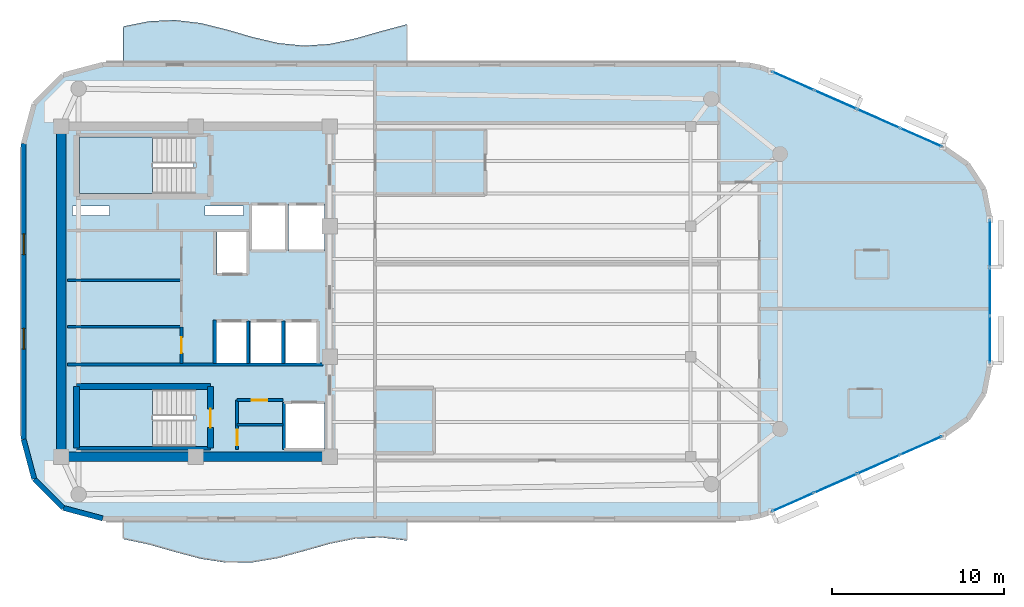
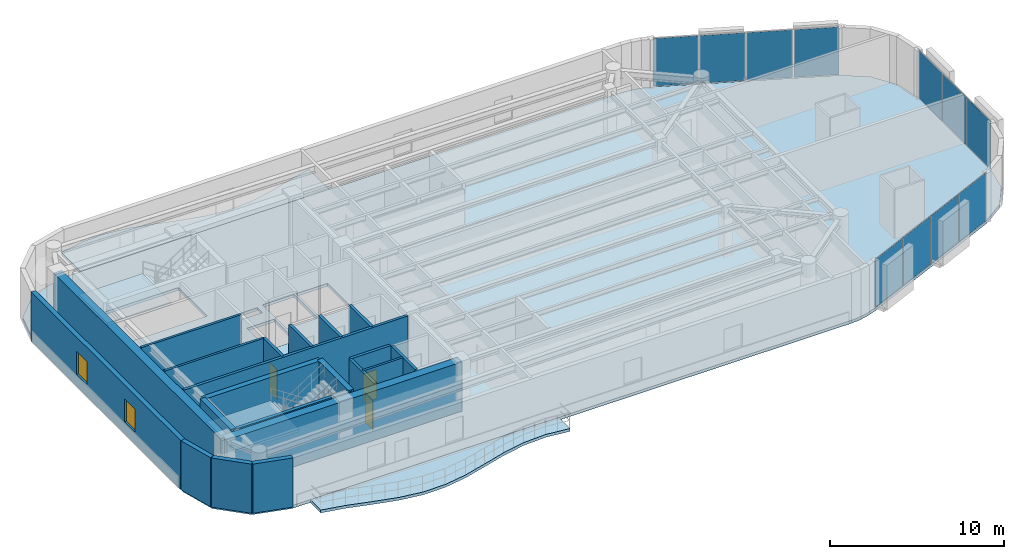
# One storey, part 7 of 12: 21 walls, 11 plates, 5 slabs, 4 doors, 2 windows, 6 openings, 5 elements without a shape of their own.
"""IFC4 building model written with IfcOpenShell, lengths in metres."""

from ifc_helpers import new_model, si_unit, direction, frame, frame_2d, origin, origin_2d, place, context, subcontext, project, spatial, polyline, rectangle, outline, extrude, material, layer, layer_set, type_object, element, fill, aggregate, save


model = new_model("IFC4")

# Units and contexts
model_context = context("Model", 3, precision=1e-05, world=origin(), true_north=direction((0.0, 1.0)))
body_context = subcontext(model_context, "Body", "Model", "MODEL_VIEW")
ifc_project = project(units=[si_unit("LENGTHUNIT", "METRE"), si_unit("AREAUNIT", "SQUARE_METRE"), si_unit("VOLUMEUNIT", "CUBIC_METRE"), si_unit("PLANEANGLEUNIT", "RADIAN"), si_unit("MASSUNIT", "GRAM", prefix="KILO")], contexts=[model_context])

# Site, building, storey
site_placement = place(None, origin())
site = spatial("IfcSite", under=ifc_project, at=site_placement, CompositionType="ELEMENT")
building_placement = place(site_placement, origin())
building = spatial("IfcBuilding", under=site, at=building_placement, Name="An Khanh Terracotta Commons", CompositionType="ELEMENT")
storey_placement = place(building_placement, frame((0.0, 0.0, 262.449951171875)))
storey = spatial("IfcBuildingStorey", under=building, at=storey_placement, Name="L68", CompositionType="ELEMENT", Elevation=262.449951171875)

# Curtain wall, plates
ifc_material_1 = material(Name="Anodised Aluminium 6063-T6", Category="aluminium")
ifc_layer_1 = layer(ifc_material_1, 0.2099609375, Name="Anodised Aluminium 6063-T6")
ifc_layer_set_1 = layer_set([ifc_layer_1], Name="Anodised Aluminium 6063-T6")
curtain_wall_type = type_object("IfcCurtainWallType", Name="CW-SYS-03", PredefinedType="USERDEFINED", material=ifc_layer_set_1)
curtain_wall_1_placement = place(storey_placement, origin())
curtain_wall_1 = element("IfcCurtainWall", 1, at=curtain_wall_1_placement, inside=storey, type_object=curtain_wall_type, Name="L68 CW-03 Unitised Curtain Wall CW-L68-08", ObjectType="UNITISED CURTAIN WALL", PredefinedType="USERDEFINED")
ifc_material_2 = material(Name="Acoustic Laminated Low-E Glazing", Category="glass")
ifc_layer_2 = layer(ifc_material_2, 0.035888671875, Name="Acoustic Laminated Low-E Glazing")
ifc_layer_set_2 = layer_set([ifc_layer_2], Name="Acoustic Laminated Low-E Glazing")
plate_type = type_object("IfcPlateType", Name="CWP-IGU-36", PredefinedType="CURTAIN_PANEL", material=ifc_layer_set_2)
plate_1_placement = place(storey_placement, frame((64.149169921875, 11.748046875, 0.050048828125), z_axis=(0.0, 0.0, 1.0), x_axis=(0.914901853201, 0.403676354285, 0.0)))
plate_1 = element("IfcPlate", 2, at=plate_1_placement, type_object=plate_type, Name="CW-03 panel 1.1", PredefinedType="CURTAIN_PANEL", context=body_context, shape_type="SweptSolid", body=[
    extrude(rectangle(XDim=2.619384765625, YDim=0.035888671875, at=origin_2d()), origin(), (0.0, 0.0, 1.0), 3.35009765625),
])
plate_2_placement = place(storey_placement, frame((66.625732421875, 12.840576171875, 0.050048828125), z_axis=(0.0, 0.0, 1.0), x_axis=(0.914901853201, 0.403676354285, 0.0)))
plate_2 = element("IfcPlate", 3, at=plate_2_placement, type_object=plate_type, Name="CW-03 panel 2.1", PredefinedType="CURTAIN_PANEL", context=body_context, shape_type="SweptSolid", body=[
    extrude(rectangle(XDim=2.654296875, YDim=0.035888671875, at=origin_2d()), origin(), (0.0, 0.0, 1.0), 3.35009765625),
])
plate_3_placement = place(storey_placement, frame((69.1181640625, 13.9404296875, 0.050048828125), z_axis=(0.0, 0.0, 1.0), x_axis=(0.914901853201, 0.403676354285, 0.0)))
plate_3 = element("IfcPlate", 4, at=plate_3_placement, type_object=plate_type, Name="CW-03 panel 3.1", PredefinedType="CURTAIN_PANEL", context=body_context, shape_type="SweptSolid", body=[
    extrude(rectangle(XDim=2.654296875, YDim=0.035888671875, at=origin_2d()), origin(), (0.0, 0.0, 1.0), 3.35009765625),
])
plate_4_placement = place(storey_placement, frame((71.5947265625, 15.032958984375, 0.050048828125), z_axis=(0.0, 0.0, 1.0), x_axis=(0.914901853201, 0.403676354285, 0.0)))
plate_4 = element("IfcPlate", 5, at=plate_4_placement, type_object=plate_type, Name="CW-03 panel 4.1", PredefinedType="CURTAIN_PANEL", context=body_context, shape_type="SweptSolid", body=[
    extrude(rectangle(XDim=2.619384765625, YDim=0.035888671875, at=origin_2d()), origin(), (0.0, 0.0, 1.0), 3.35009765625),
])
aggregate(curtain_wall_1, [plate_1, plate_2, plate_3, plate_4])

curtain_wall_2_placement = place(storey_placement, origin())
curtain_wall_2 = element("IfcCurtainWall", 6, at=curtain_wall_2_placement, inside=storey, type_object=curtain_wall_type, Name="L68 CW-03 Unitised Curtain Wall CW-L68-12", ObjectType="UNITISED CURTAIN WALL", PredefinedType="USERDEFINED")
plate_5_placement = place(storey_placement, frame((75.60009765625, 21.216064453125, 0.050048828125), z_axis=(0.0, 0.0, 1.0), x_axis=(0.0, 1.0, 0.0)))
plate_5 = element("IfcPlate", 7, at=plate_5_placement, type_object=plate_type, Name="CW-03 panel 1.1", PredefinedType="CURTAIN_PANEL", context=body_context, shape_type="SweptSolid", body=[
    extrude(rectangle(XDim=2.6962890625, YDim=0.035888671875, at=origin_2d()), origin(), (0.0, 0.0, 1.0), 3.35009765625),
])
plate_6_placement = place(storey_placement, frame((75.60009765625, 24.0, 0.050048828125), z_axis=(0.0, 0.0, 1.0), x_axis=(0.0, 1.0, 0.0)))
plate_6 = element("IfcPlate", 8, at=plate_6_placement, type_object=plate_type, Name="CW-03 panel 2.1", PredefinedType="CURTAIN_PANEL", context=body_context, shape_type="SweptSolid", body=[
    extrude(rectangle(XDim=2.7314453125, YDim=0.035888671875, at=origin_2d()), origin(), (0.0, 0.0, 1.0), 3.35009765625),
])
plate_7_placement = place(storey_placement, frame((75.60009765625, 26.783935546875, 0.050048828125), z_axis=(0.0, 0.0, 1.0), x_axis=(0.0, 1.0, 0.0)))
plate_7 = element("IfcPlate", 9, at=plate_7_placement, type_object=plate_type, Name="CW-03 panel 3.1", PredefinedType="CURTAIN_PANEL", context=body_context, shape_type="SweptSolid", body=[
    extrude(rectangle(XDim=2.6962890625, YDim=0.035888671875, at=origin_2d()), origin(), (0.0, 0.0, 1.0), 3.35009765625),
])
aggregate(curtain_wall_2, [plate_5, plate_6, plate_7])

curtain_wall_3_placement = place(storey_placement, origin())
curtain_wall_3 = element("IfcCurtainWall", 10, at=curtain_wall_3_placement, inside=storey, type_object=curtain_wall_type, Name="L68 CW-03 Unitised Curtain Wall CW-L68-16", ObjectType="UNITISED CURTAIN WALL", PredefinedType="USERDEFINED")
plate_8_placement = place(storey_placement, frame((71.5947265625, 32.967041015625, 0.050048828125), z_axis=(0.0, 0.0, 1.0), x_axis=(-0.914901853201, 0.403676354285, 0.0)))
plate_8 = element("IfcPlate", 11, at=plate_8_placement, type_object=plate_type, Name="CW-03 panel 1.1", PredefinedType="CURTAIN_PANEL", context=body_context, shape_type="SweptSolid", body=[
    extrude(rectangle(XDim=2.619384765625, YDim=0.035888671875, at=origin_2d()), origin(), (0.0, 0.0, 1.0), 3.35009765625),
])
plate_9_placement = place(storey_placement, frame((69.1181640625, 34.0595703125, 0.050048828125), z_axis=(0.0, 0.0, 1.0), x_axis=(-0.914901853201, 0.403676354285, 0.0)))
plate_9 = element("IfcPlate", 12, at=plate_9_placement, type_object=plate_type, Name="CW-03 panel 2.1", PredefinedType="CURTAIN_PANEL", context=body_context, shape_type="SweptSolid", body=[
    extrude(rectangle(XDim=2.654296875, YDim=0.035888671875, at=origin_2d()), origin(), (0.0, 0.0, 1.0), 3.35009765625),
])
plate_10_placement = place(storey_placement, frame((66.625732421875, 35.159423828125, 0.050048828125), z_axis=(0.0, 0.0, 1.0), x_axis=(-0.914901853201, 0.403676354285, 0.0)))
plate_10 = element("IfcPlate", 13, at=plate_10_placement, type_object=plate_type, Name="CW-03 panel 3.1", PredefinedType="CURTAIN_PANEL", context=body_context, shape_type="SweptSolid", body=[
    extrude(rectangle(XDim=2.654296875, YDim=0.035888671875, at=origin_2d()), origin(), (0.0, 0.0, 1.0), 3.35009765625),
])
plate_11_placement = place(storey_placement, frame((64.149169921875, 36.251953125, 0.050048828125), z_axis=(0.0, 0.0, 1.0), x_axis=(-0.914901853201, 0.403676354285, 0.0)))
plate_11 = element("IfcPlate", 14, at=plate_11_placement, type_object=plate_type, Name="CW-03 panel 4.1", PredefinedType="CURTAIN_PANEL", context=body_context, shape_type="SweptSolid", body=[
    extrude(rectangle(XDim=2.619384765625, YDim=0.035888671875, at=origin_2d()), origin(), (0.0, 0.0, 1.0), 3.35009765625),
])
aggregate(curtain_wall_3, [plate_8, plate_9, plate_10, plate_11])

# Slabs
ifc_material_3 = material(Name="Concrete C40/50", Category="concrete")
ifc_layer_3 = layer(ifc_material_3, 0.199951171875, Name="Concrete C40/50")
ifc_layer_set_3 = layer_set([ifc_layer_3], Name="Concrete C40/50")
slab_type_1 = type_object("IfcSlabType", Name="SLAB-BALC-200", PredefinedType="FLOOR", material=ifc_layer_set_3)
slab_1_placement = place(storey_placement, frame((0.0, 0.0, -0.199951171875)))
element("IfcSlab", 15, at=slab_1_placement, inside=storey, type_object=slab_type_1, Name="L68 S Sinusoidal Wave Balcony Slab", PredefinedType="FLOOR", context=body_context, shape_type="SweptSolid", body=[
    extrude(outline(polyline([(25.199951171875, 10.800048828125), (25.199951171875, 9.60009765625), (26.699951171875, 9.281982421875), (28.199951171875, 8.85205078125), (29.699951171875, 8.455078125), (31.199951171875, 8.22607421875), (32.699951171875, 8.239990234375), (34.199951171875, 8.492919921875), (35.699951171875, 8.90087890625), (37.199951171875, 9.324951171875), (38.699951171875, 9.623046875), (40.199951171875, 9.694091796875), (41.699951171875, 9.513916015625), (41.699951171875, 10.800048828125), (25.199951171875, 10.800048828125)])), origin(), (0.0, 0.0, 1.0), 0.199951171875),
])
slab_2_placement = place(storey_placement, frame((0.0, 0.0, -0.199951171875)))
element("IfcSlab", 16, at=slab_2_placement, inside=storey, type_object=slab_type_1, Name="L68 N Sinusoidal Wave Balcony Slab", PredefinedType="FLOOR", context=body_context, shape_type="SweptSolid", body=[
    extrude(outline(polyline([(41.699951171875, 37.199951171875), (41.699951171875, 39.544921875), (40.199951171875, 39.14794921875), (38.699951171875, 38.718017578125), (37.199951171875, 38.39990234375), (35.699951171875, 38.302001953125), (34.199951171875, 38.455078125), (32.699951171875, 38.80908203125), (31.199951171875, 39.243896484375), (29.699951171875, 39.614013671875), (28.199951171875, 39.7939453125), (26.699951171875, 39.722900390625), (25.199951171875, 39.425048828125), (25.199951171875, 37.199951171875), (41.699951171875, 37.199951171875)])), origin(), (0.0, 0.0, 1.0), 0.199951171875),
])

# Stair, slab
ifc_material_4 = material(Name="Precast concrete C40/50", Category="concrete")
stair_type = type_object("IfcStairType", Name="STAIR-CORE-1550", PredefinedType="HALF_TURN_STAIR", material=ifc_material_4)
stair_1_placement = place(storey_placement, origin())
stair_1 = element("IfcStair", 17, at=stair_1_placement, inside=storey, type_object=stair_type, Name="L68 Core Smokeproof Exit Stair ST-01", PredefinedType="HALF_TURN_STAIR")
ifc_layer_4 = layer(ifc_material_3, 0.18994140625, Name="Concrete C40/50")
ifc_layer_set_4 = layer_set([ifc_layer_4], Name="Concrete C40/50")
slab_type_2 = type_object("IfcSlabType", Name="SLAB-LANDING-190", PredefinedType="LANDING", material=ifc_layer_set_4)
slab_3_placement = place(storey_placement, frame((0.0, 0.0, 1.625)))
slab_3 = element("IfcSlab", 18, at=slab_3_placement, type_object=slab_type_2, Name="ST-01 landing 1", PredefinedType="LANDING", context=body_context, shape_type="SweptSolid", body=[
    extrude(outline(polyline([(26.889892578125, 33.0), (22.64990234375, 33.0), (22.64990234375, 29.699951171875), (26.889892578125, 29.699951171875), (26.889892578125, 33.0)])), origin(), (0.0, 0.0, 1.0), 0.199951171875),
])
aggregate(stair_1, [slab_3])

stair_2_placement = place(storey_placement, origin())
stair_2 = element("IfcStair", 19, at=stair_2_placement, inside=storey, type_object=stair_type, Name="L68 Core Smokeproof Exit Stair ST-02", PredefinedType="HALF_TURN_STAIR")
slab_4_placement = place(storey_placement, frame((0.0, 0.0, 1.625)))
slab_4 = element("IfcSlab", 20, at=slab_4_placement, type_object=slab_type_2, Name="ST-02 landing 1", PredefinedType="LANDING", context=body_context, shape_type="SweptSolid", body=[
    extrude(outline(polyline([(26.889892578125, 18.300048828125), (22.64990234375, 18.300048828125), (22.64990234375, 15.0), (26.889892578125, 15.0), (26.889892578125, 18.300048828125)])), origin(), (0.0, 0.0, 1.0), 0.199951171875),
])
aggregate(stair_2, [slab_4])

# Slab
ifc_layer_5 = layer(ifc_material_3, 0.199951171875, Name="Concrete C40/50")
ifc_layer_set_5 = layer_set([ifc_layer_5], Name="Concrete C40/50")
slab_type_3 = type_object("IfcSlabType", Name="SLAB-TYP-200", PredefinedType="FLOOR", material=ifc_layer_set_5)
slab_5_placement = place(storey_placement, frame((0.0, 0.0, -0.199951171875)))
element("IfcSlab", 21, at=slab_5_placement, inside=storey, type_object=slab_type_3, Name="L68 Structural Floor Slab", PredefinedType="FLOOR", context=body_context, shape_type="SweptSolid", body=[
    extrude(outline(polyline([(19.39990234375, 15.39990234375), (20.01611328125, 13.10009765625), (21.699951171875, 11.416015625), (24.0, 10.800048828125), (61.030029296875, 10.800048828125), (61.6650390625, 10.843994140625), (62.2880859375, 10.97509765625), (62.886962890625, 11.19091796875), (72.85693359375, 15.590087890625), (74.302001953125, 16.594970703125), (75.262939453125, 18.070068359375), (75.60009765625, 19.798095703125), (75.60009765625, 28.201904296875), (75.262939453125, 29.929931640625), (74.302001953125, 31.405029296875), (72.85693359375, 32.409912109375), (62.886962890625, 36.80908203125), (62.2880859375, 37.02490234375), (61.6650390625, 37.156005859375), (61.030029296875, 37.199951171875), (24.0, 37.199951171875), (21.699951171875, 36.583984375), (20.01611328125, 34.89990234375), (19.39990234375, 32.60009765625), (19.39990234375, 15.39990234375)]), holes=[polyline([(22.64990234375, 29.699951171875), (29.27001953125, 29.699951171875), (29.27001953125, 33.0), (22.64990234375, 33.0), (22.64990234375, 29.699951171875)]), polyline([(22.64990234375, 15.0), (29.27001953125, 15.0), (29.27001953125, 18.300048828125), (22.64990234375, 18.300048828125), (22.64990234375, 15.0)]), polyline([(32.60009765625, 26.35009765625), (34.679931640625, 26.35009765625), (34.679931640625, 29.080078125), (32.60009765625, 29.080078125), (32.60009765625, 26.35009765625)]), polyline([(34.820068359375, 26.35009765625), (36.89990234375, 26.35009765625), (36.89990234375, 29.080078125), (34.820068359375, 29.080078125), (34.820068359375, 26.35009765625)]), polyline([(34.550048828125, 14.800048828125), (36.89990234375, 14.800048828125), (36.89990234375, 17.550048828125), (34.550048828125, 17.550048828125), (34.550048828125, 14.800048828125)]), polyline([(30.639892578125, 25.0), (32.4599609375, 25.0), (32.4599609375, 27.5), (30.639892578125, 27.5), (30.639892578125, 25.0)]), polyline([(30.56005859375, 19.800048828125), (32.4599609375, 19.800048828125), (32.4599609375, 22.300048828125), (30.56005859375, 22.300048828125), (30.56005859375, 19.800048828125)]), polyline([(32.60009765625, 19.800048828125), (34.5, 19.800048828125), (34.5, 22.300048828125), (32.60009765625, 22.300048828125), (32.60009765625, 19.800048828125)]), polyline([(34.639892578125, 19.800048828125), (36.5400390625, 19.800048828125), (36.5400390625, 22.300048828125), (34.639892578125, 22.300048828125), (34.639892578125, 19.800048828125)]), polyline([(22.25, 28.419921875), (24.39990234375, 28.419921875), (24.39990234375, 28.97998046875), (22.25, 28.97998046875), (22.25, 28.419921875)]), polyline([(29.949951171875, 28.419921875), (32.199951171875, 28.419921875), (32.199951171875, 28.97998046875), (29.949951171875, 28.97998046875), (29.949951171875, 28.419921875)])]), origin(), (0.0, 0.0, 1.0), 0.199951171875),
])

# Walls
ifc_material_5 = material(Name="Concrete C50/60", Category="concrete")
ifc_layer_6 = layer(ifc_material_5, 0.550048828125, Name="Concrete C50/60")
ifc_layer_set_6 = layer_set([ifc_layer_6], Name="Concrete C50/60")
wall_type_1 = type_object("IfcWallType", Name="WALL-CORE-550", PredefinedType="SHEAR", material=ifc_layer_set_6)
wall_1_placement = place(storey_placement, frame((21.60009765625, 14.39990234375, 0.0), z_axis=(0.0, 0.0, 1.0), x_axis=(0.0, 1.0, 0.0)))
element("IfcWall", 22, at=wall_1_placement, inside=storey, type_object=wall_type_1, Name="L68 Core Wall CWALL-L68-W", PredefinedType="SHEAR", context=body_context, shape_type="SweptSolid", body=[
    extrude(rectangle(XDim=19.2001953125, YDim=0.550048828125, at=frame_2d((9.60009765625, 0.0))), origin(), (0.0, 0.0, 1.0), 3.449951171875),
])
wall_2_placement = place(storey_placement, frame((37.199951171875, 14.39990234375, 0.0), z_axis=(0.0, 0.0, 1.0), x_axis=(-1.0, 0.0, 0.0)))
element("IfcWall", 23, at=wall_2_placement, inside=storey, type_object=wall_type_1, Name="L68 Core Wall CWALL-L68-S", PredefinedType="SHEAR", context=body_context, shape_type="SweptSolid", body=[
    extrude(rectangle(XDim=15.599853515625, YDim=0.550048828125, at=frame_2d((7.7998046875, 0.0))), origin(), (0.0, 0.0, 1.0), 3.449951171875),
])
ifc_material_6 = material(Name="Fire-Rated Gypsum Board on Steel Stud", Category="steel")
ifc_layer_7 = layer(ifc_material_6, 0.179931640625, Name="Fire-Rated Gypsum Board on Steel Stud")
ifc_layer_set_7 = layer_set([ifc_layer_7], Name="Fire-Rated Gypsum Board on Steel Stud")
wall_type_2 = type_object("IfcWallType", Name="WALL-CORR-180", PredefinedType="PARTITIONING", material=ifc_layer_set_7)
wall_3_placement = place(storey_placement, frame((21.949951171875, 19.760009765625, 0.0), z_axis=(0.0, 0.0, 1.0), x_axis=(1.0, 0.0, 0.0)))
element("IfcWall", 24, at=wall_3_placement, inside=storey, type_object=wall_type_2, Name="L68 Core Wall SVW-L68-N", PredefinedType="PARTITIONING", context=body_context, shape_type="SweptSolid", body=[
    extrude(rectangle(XDim=14.8701171875, YDim=0.179931640625, at=frame_2d((7.43505859375, 0.0))), origin(), (0.0, 0.0, 1.0), 3.449951171875),
])

# Wall, opening, door
wall_4_placement = place(storey_placement, frame((31.820068359375, 17.679931640625, 0.0), z_axis=(0.0, 0.0, 1.0), x_axis=(1.0, 0.0, 0.0)))
wall_4 = element("IfcWall", 25, at=wall_4_placement, inside=storey, type_object=wall_type_2, Name="L68 Core Wall SSVCW-L68-N", PredefinedType="PARTITIONING", context=body_context, shape_type="SweptSolid", body=[
    extrude(rectangle(XDim=2.659912109375, YDim=0.179931640625, at=frame_2d((1.330078125, 0.0))), origin(), (0.0, 0.0, 1.0), 3.449951171875),
])
opening_1_placement = place(wall_4_placement, frame((0.85009765625, 0.0, 0.0)))
opening_1 = element("IfcOpeningElement", 26, at=opening_1_placement, cuts=wall_4, Name="Opening D-SV", PredefinedType="OPENING", context=body_context, shape_type="SweptSolid", body=[
    extrude(rectangle(XDim=0.89990234375, YDim=2.050048828125, at=frame_2d((0.449951171875, 1.02490234375))), frame((0.0, 0.099853515625, 0.0), z_axis=(0.0, -1.0, 0.0), x_axis=(1.0, 0.0, 0.0)), (0.0, 0.0, 1.0), 0.199951171875),
])
ifc_material_7 = material(Name="Fire-Rated Powder-Coated Steel Door", Category="steel")
door_type_1 = type_object("IfcDoorType", Name="DOOR-SERV-900", OperationType="NOTDEFINED", PredefinedType="DOOR", material=ifc_material_7)
door_1_placement = place(opening_1_placement, origin())
door_1 = element("IfcDoor", 27, at=door_1_placement, inside=storey, type_object=door_type_1, Name="L68 Core Cleaner Store Door", OperationType="SINGLE_SWING_LEFT", OverallHeight=2.050048828125, OverallWidth=0.89990234375, PredefinedType="DOOR", context=body_context, shape_type="SweptSolid", body=[
    extrude(rectangle(XDim=0.89990234375, YDim=2.050048828125, at=frame_2d((0.449951171875, 1.02490234375))), frame((0.0, 0.02490234375, 0.0), z_axis=(0.0, -1.0, 0.0), x_axis=(1.0, 0.0, 0.0)), (0.0, 0.0, 1.0), 0.050048828125),
])
fill(opening_1, door_1)

wall_5_placement = place(storey_placement, frame((31.820068359375, 14.800048828125, 0.0), z_axis=(0.0, 0.0, 1.0), x_axis=(0.0, 1.0, 0.0)))
wall_5 = element("IfcWall", 28, at=wall_5_placement, inside=storey, type_object=wall_type_2, Name="L68 Core Wall SSVCW-L68-W", PredefinedType="PARTITIONING", context=body_context, shape_type="SweptSolid", body=[
    extrude(rectangle(XDim=2.8798828125, YDim=0.179931640625, at=frame_2d((1.43994140625, 0.0))), origin(), (0.0, 0.0, 1.0), 3.449951171875),
])
opening_2_placement = place(wall_5_placement, frame((0.260009765625, 0.0, 0.0)))
opening_2 = element("IfcOpeningElement", 29, at=opening_2_placement, cuts=wall_5, Name="Opening D-SV", PredefinedType="OPENING", context=body_context, shape_type="SweptSolid", body=[
    extrude(rectangle(XDim=0.89990234375, YDim=2.050048828125, at=frame_2d((0.449951171875, 1.02490234375))), frame((0.0, 0.099853515625, 0.0), z_axis=(0.0, -1.0, 0.0), x_axis=(1.0, 0.0, 0.0)), (0.0, 0.0, 1.0), 0.199951171875),
])
door_2_placement = place(opening_2_placement, origin())
door_2 = element("IfcDoor", 30, at=door_2_placement, inside=storey, type_object=door_type_1, Name="L68 Telecoms BMS Cupboard Door", OperationType="SINGLE_SWING_RIGHT", OverallHeight=2.050048828125, OverallWidth=0.89990234375, PredefinedType="DOOR", context=body_context, shape_type="SweptSolid", body=[
    extrude(rectangle(XDim=0.89990234375, YDim=2.050048828125, at=frame_2d((0.449951171875, 1.02490234375))), frame((0.0, 0.02490234375, 0.0), z_axis=(0.0, -1.0, 0.0), x_axis=(1.0, 0.0, 0.0)), (0.0, 0.0, 1.0), 0.050048828125),
])
fill(opening_2, door_2)

# Walls
wall_6_placement = place(storey_placement, frame((34.550048828125, 17.550048828125, 0.0), z_axis=(0.0, 0.0, 1.0), x_axis=(0.0, -1.0, 0.0)))
element("IfcWall", 31, at=wall_6_placement, inside=storey, type_object=wall_type_2, Name="L68 Core Wall LSH-L68-SVL-01-W", PredefinedType="PARTITIONING", context=body_context, shape_type="SweptSolid", body=[
    extrude(rectangle(XDim=2.75, YDim=0.179931640625, at=frame_2d((1.375, 0.0))), origin(), (0.0, 0.0, 1.0), 3.449951171875),
])
for number, where, z_axis, x_axis, name in (
    (32, (32.4599609375, 19.800048828125, 0.0), (0.0, 0.0, 1.0), (0.0, 1.0, 0.0), "L68 Core Wall LSH-L68-PL-H2-E"),
    (33, (34.5, 19.800048828125, 0.0), (0.0, 0.0, 1.0), (0.0, 1.0, 0.0), "L68 Core Wall LSH-L68-PL-H3-E"),
):
    element("IfcWall", number, at=place(storey_placement, frame(where, z_axis=z_axis, x_axis=x_axis)), inside=storey, type_object=wall_type_2, Name=name, PredefinedType="PARTITIONING", context=body_context, shape_type="SweptSolid", body=[
        extrude(rectangle(XDim=2.5, YDim=0.179931640625, at=frame_2d((1.25, 0.0))), origin(), (0.0, 0.0, 1.0), 3.449951171875),
    ])
wall_7_placement = place(storey_placement, frame((30.52001953125, 19.800048828125, 0.0), z_axis=(0.0, 0.0, 1.0), x_axis=(0.0, 1.0, 0.0)))
element("IfcWall", 34, at=wall_7_placement, inside=storey, type_object=wall_type_2, Name="L68 Core Wall RECW-L68-BE2", PredefinedType="PARTITIONING", context=body_context, shape_type="SweptSolid", body=[
    extrude(rectangle(XDim=2.550048828125, YDim=0.179931640625, at=frame_2d((1.27490234375, 0.0))), origin(), (0.0, 0.0, 1.0), 3.449951171875),
])

# Wall, opening, door
wall_8_placement = place(storey_placement, frame((28.580078125, 19.800048828125, 0.0), z_axis=(0.0, 0.0, 1.0), x_axis=(0.0, 1.0, 0.0)))
wall_8 = element("IfcWall", 35, at=wall_8_placement, inside=storey, type_object=wall_type_2, Name="L68 Core Wall RECW-L68-E3", PredefinedType="PARTITIONING", context=body_context, shape_type="SweptSolid", body=[
    extrude(rectangle(XDim=2.14990234375, YDim=0.179931640625, at=frame_2d((1.074951171875, 0.0))), origin(), (0.0, 0.0, 1.0), 3.449951171875),
])
opening_3_placement = place(wall_8_placement, frame((0.614990234375, 0.0, 0.0)))
opening_3 = element("IfcOpeningElement", 36, at=opening_3_placement, cuts=wall_8, Name="Opening D-RM", PredefinedType="OPENING", context=body_context, shape_type="SweptSolid", body=[
    extrude(rectangle(XDim=0.919921875, YDim=2.10009765625, at=frame_2d((0.4599609375, 1.050048828125))), frame((0.0, 0.099853515625, 0.0), z_axis=(0.0, -1.0, 0.0), x_axis=(1.0, 0.0, 0.0)), (0.0, 0.0, 1.0), 0.199951171875),
])
ifc_material_8 = material(Name="Engineered Hardwood Timber Leaf", Category="wood")
door_type_2 = type_object("IfcDoorType", Name="DOOR-INT-920", OperationType="NOTDEFINED", PredefinedType="DOOR", material=ifc_material_8)
door_3_placement = place(opening_3_placement, origin())
door_3 = element("IfcDoor", 37, at=door_3_placement, inside=storey, type_object=door_type_2, Name="L68 Communal Laundry Room Door", OperationType="SINGLE_SWING_LEFT", OverallHeight=2.10009765625, OverallWidth=0.919921875, PredefinedType="DOOR", context=body_context, shape_type="SweptSolid", body=[
    extrude(rectangle(XDim=0.919921875, YDim=2.10009765625, at=frame_2d((0.4599609375, 1.050048828125))), frame((0.0, 0.02490234375, 0.0), z_axis=(0.0, -1.0, 0.0), x_axis=(1.0, 0.0, 0.0)), (0.0, 0.0, 1.0), 0.050048828125),
])
fill(opening_3, door_3)

# Walls
ifc_layer_8 = layer(ifc_material_4, 0.300048828125, Name="Precast concrete C40/50")
ifc_layer_set_8 = layer_set([ifc_layer_8], Name="Precast concrete C40/50")
wall_type_3 = type_object("IfcWallType", Name="WALL-EXT-300", PredefinedType="SOLIDWALL", material=ifc_layer_set_8)
wall_9_placement = place(storey_placement, frame((19.39990234375, 15.39990234375, 0.0), z_axis=(0.0, 0.0, 1.0), x_axis=(0.258811258154, -0.965927912762, 0.0)))
element("IfcWall", 38, at=wall_9_placement, inside=storey, type_object=wall_type_3, Name="L68 Insulated Terracotta Exterior Wall 1", PredefinedType="SOLIDWALL", context=body_context, shape_type="SweptSolid", body=[
    extrude(rectangle(XDim=2.380859375, YDim=0.300048828125, at=frame_2d((1.1904296875, 0.0))), origin(), (0.0, 0.0, 1.0), 3.449951171875),
])
wall_10_placement = place(storey_placement, frame((20.01611328125, 13.10009765625, 0.0), z_axis=(0.0, 0.0, 1.0), x_axis=(0.707055521135, -0.707158037522, 0.0)))
element("IfcWall", 39, at=wall_10_placement, inside=storey, type_object=wall_type_3, Name="L68 Insulated Terracotta Exterior Wall 2", PredefinedType="SOLIDWALL", context=body_context, shape_type="SweptSolid", body=[
    extrude(rectangle(XDim=2.381591796875, YDim=0.300048828125, at=frame_2d((1.19091796875, 0.0))), origin(), (0.0, 0.0, 1.0), 3.449951171875),
])
wall_11_placement = place(storey_placement, frame((21.699951171875, 11.416015625, 0.0), z_axis=(0.0, 0.0, 1.0), x_axis=(0.965960405575, -0.25868995895, 0.0)))
element("IfcWall", 40, at=wall_11_placement, inside=storey, type_object=wall_type_3, Name="L68 Insulated Terracotta Exterior Wall 3", PredefinedType="SOLIDWALL", context=body_context, shape_type="SweptSolid", body=[
    extrude(rectangle(XDim=2.381103515625, YDim=0.300048828125, at=frame_2d((1.1904296875, 0.0))), origin(), (0.0, 0.0, 1.0), 3.449951171875),
])

# Wall, openings, windows
wall_12_placement = place(storey_placement, frame((19.39990234375, 32.60009765625, 0.0), z_axis=(0.0, 0.0, 1.0), x_axis=(0.0, -1.0, 0.0)))
wall_12 = element("IfcWall", 41, at=wall_12_placement, inside=storey, type_object=wall_type_3, Name="L68 Insulated Terracotta Exterior Wall 24", PredefinedType="SOLIDWALL", context=body_context, shape_type="SweptSolid", body=[
    extrude(rectangle(XDim=17.2001953125, YDim=0.300048828125, at=frame_2d((8.60009765625, 0.0))), origin(), (0.0, 0.0, 1.0), 3.449951171875),
])
opening_4_placement = place(wall_12_placement, frame((5.25, 0.0, 0.85009765625)))
opening_4 = element("IfcOpeningElement", 42, at=opening_4_placement, cuts=wall_12, Name="Opening W-05", PredefinedType="OPENING", context=body_context, shape_type="SweptSolid", body=[
    extrude(rectangle(XDim=1.199951171875, YDim=1.60009765625, at=frame_2d((0.60009765625, 0.800048828125))), frame((0.0, 0.159912109375, 0.0), z_axis=(0.0, -1.0, 0.0), x_axis=(1.0, 0.0, 0.0)), (0.0, 0.0, 1.0), 0.320068359375),
])
opening_5_placement = place(wall_12_placement, frame((10.75, 0.0, 0.85009765625)))
opening_5 = element("IfcOpeningElement", 43, at=opening_5_placement, cuts=wall_12, Name="Opening W-05", PredefinedType="OPENING", context=body_context, shape_type="SweptSolid", body=[
    extrude(rectangle(XDim=1.199951171875, YDim=1.60009765625, at=frame_2d((0.60009765625, 0.800048828125))), frame((0.0, 0.159912109375, 0.0), z_axis=(0.0, -1.0, 0.0), x_axis=(1.0, 0.0, 0.0)), (0.0, 0.0, 1.0), 0.320068359375),
])
ifc_material_9 = material(Name="Thermally Broken Aluminium and Low-E Glass", Category="aluminium")
window_type = type_object("IfcWindowType", Name="WIN-Z5-1200x1600", PartitioningType="SINGLE_PANEL", PredefinedType="WINDOW", material=ifc_material_9)
window_1_placement = place(opening_4_placement, origin())
window_1 = element("IfcWindow", 44, at=window_1_placement, inside=storey, type_object=window_type, Name="L68 Operable Casement Window 24.1", OverallHeight=1.60009765625, OverallWidth=1.199951171875, PartitioningType="SINGLE_PANEL", PredefinedType="WINDOW", context=body_context, shape_type="SweptSolid", body=[
    extrude(rectangle(XDim=1.199951171875, YDim=1.60009765625, at=frame_2d((0.60009765625, 0.800048828125))), frame((0.0, 0.030029296875, 0.0), z_axis=(0.0, -1.0, 0.0), x_axis=(1.0, 0.0, 0.0)), (0.0, 0.0, 1.0), 0.06005859375),
])
fill(opening_4, window_1)
window_2_placement = place(opening_5_placement, origin())
window_2 = element("IfcWindow", 45, at=window_2_placement, inside=storey, type_object=window_type, Name="L68 Operable Casement Window 24.2", OverallHeight=1.60009765625, OverallWidth=1.199951171875, PartitioningType="SINGLE_PANEL", PredefinedType="WINDOW", context=body_context, shape_type="SweptSolid", body=[
    extrude(rectangle(XDim=1.199951171875, YDim=1.60009765625, at=frame_2d((0.60009765625, 0.800048828125))), frame((0.0, 0.030029296875, 0.0), z_axis=(0.0, -1.0, 0.0), x_axis=(1.0, 0.0, 0.0)), (0.0, 0.0, 1.0), 0.06005859375),
])
fill(opening_5, window_2)

# Walls
ifc_material_10 = material(Name="Acoustic Gypsum Board Partition")
ifc_layer_9 = layer(ifc_material_10, 0.14990234375, Name="Acoustic Gypsum Board Partition")
ifc_layer_set_9 = layer_set([ifc_layer_9], Name="Acoustic Gypsum Board Partition")
wall_type_4 = type_object("IfcWallType", Name="WALL-PART-150", PredefinedType="PARTITIONING", material=ifc_layer_set_9)
wall_13_placement = place(storey_placement, frame((31.820068359375, 16.260009765625, 0.0), z_axis=(0.0, 0.0, 1.0), x_axis=(1.0, 0.0, 0.0)))
element("IfcWall", 46, at=wall_13_placement, inside=storey, type_object=wall_type_4, Name="L68 Core Wall SSVCW-L68-M", PredefinedType="PARTITIONING", context=body_context, shape_type="SweptSolid", body=[
    extrude(rectangle(XDim=2.659912109375, YDim=0.14990234375, at=frame_2d((1.330078125, 0.0))), origin(), (0.0, 0.0, 1.0), 3.449951171875),
])
for number, where, z_axis, x_axis, name in (
    (47, (21.949951171875, 24.64990234375, 0.0), (0.0, 0.0, 1.0), (1.0, 0.0, 0.0), "L68 Core Wall RECW-L68-H1"),
    (48, (21.949951171875, 21.949951171875, 0.0), (0.0, 0.0, 1.0), (1.0, 0.0, 0.0), "L68 Core Wall RECW-L68-H2"),
):
    element("IfcWall", number, at=place(storey_placement, frame(where, z_axis=z_axis, x_axis=x_axis)), inside=storey, type_object=wall_type_4, Name=name, PredefinedType="PARTITIONING", context=body_context, shape_type="SweptSolid", body=[
        extrude(rectangle(XDim=6.630126953125, YDim=0.14990234375, at=frame_2d((3.31494140625, 0.0))), origin(), (0.0, 0.0, 1.0), 3.449951171875),
    ])
ifc_material_11 = material(Name="Acoustic Double-Stud Gypsum and Mineral Wool")
ifc_layer_10 = layer(ifc_material_11, 0.219970703125, Name="Acoustic Double-Stud Gypsum and Mineral Wool")
ifc_layer_set_10 = layer_set([ifc_layer_10], Name="Acoustic Double-Stud Gypsum and Mineral Wool")
wall_type_5 = type_object("IfcWallType", Name="WALL-PARTY-220", PredefinedType="PARTITIONING", material=ifc_layer_set_10)
wall_14_placement = place(storey_placement, frame((22.47998046875, 14.889892578125, 0.0), z_axis=(0.0, 0.0, 1.0), x_axis=(1.0, 0.0, 0.0)))
element("IfcWall", 49, at=wall_14_placement, inside=storey, type_object=wall_type_5, Name="L68 Core Wall STW-L68-S-S", PredefinedType="PARTITIONING", context=body_context, shape_type="SweptSolid", body=[
    extrude(rectangle(XDim=7.7900390625, YDim=0.219970703125, at=frame_2d((3.89501953125, 0.0))), origin(), (0.0, 0.0, 1.0), 3.449951171875),
])
ifc_layer_11 = layer(ifc_material_5, 0.35009765625, Name="Concrete C50/60")
ifc_layer_set_11 = layer_set([ifc_layer_11], Name="Concrete C50/60")
wall_type_6 = type_object("IfcWallType", Name="WALL-SHAFT-350", PredefinedType="SOLIDWALL", material=ifc_layer_set_11)
wall_15_placement = place(storey_placement, frame((22.47998046875, 18.469970703125, 0.0), z_axis=(0.0, 0.0, 1.0), x_axis=(1.0, 0.0, 0.0)))
element("IfcWall", 50, at=wall_15_placement, inside=storey, type_object=wall_type_6, Name="L68 Core Wall STW-L68-S-N", PredefinedType="SOLIDWALL", context=body_context, shape_type="SweptSolid", body=[
    extrude(rectangle(XDim=7.7900390625, YDim=0.35009765625, at=frame_2d((3.89501953125, 0.0))), origin(), (0.0, 0.0, 1.0), 3.449951171875),
])
wall_16_placement = place(storey_placement, frame((22.47998046875, 14.889892578125, 0.0), z_axis=(0.0, 0.0, 1.0), x_axis=(0.0, 1.0, 0.0)))
element("IfcWall", 51, at=wall_16_placement, inside=storey, type_object=wall_type_6, Name="L68 Core Wall STW-L68-S-W", PredefinedType="SOLIDWALL", context=body_context, shape_type="SweptSolid", body=[
    extrude(rectangle(XDim=3.580078125, YDim=0.35009765625, at=frame_2d((1.7900390625, 0.0))), origin(), (0.0, 0.0, 1.0), 3.449951171875),
])

# Wall, opening, door
wall_17_placement = place(storey_placement, frame((30.27001953125, 14.889892578125, 0.0), z_axis=(0.0, 0.0, 1.0), x_axis=(0.0, 1.0, 0.0)))
wall_17 = element("IfcWall", 52, at=wall_17_placement, inside=storey, type_object=wall_type_6, Name="L68 Core Wall STW-L68-S-E", PredefinedType="SOLIDWALL", context=body_context, shape_type="SweptSolid", body=[
    extrude(rectangle(XDim=3.580078125, YDim=0.35009765625, at=frame_2d((1.7900390625, 0.0))), origin(), (0.0, 0.0, 1.0), 3.449951171875),
])
opening_6_placement = place(wall_17_placement, frame((1.18994140625, 0.0, 0.0)))
opening_6 = element("IfcOpeningElement", 53, at=opening_6_placement, cuts=wall_17, Name="Opening D-ST", PredefinedType="OPENING", context=body_context, shape_type="SweptSolid", body=[
    extrude(rectangle(XDim=1.10009765625, YDim=2.14990234375, at=frame_2d((0.550048828125, 1.074951171875))), frame((0.0, 0.18505859375, 0.0), z_axis=(0.0, -1.0, 0.0), x_axis=(1.0, 0.0, 0.0)), (0.0, 0.0, 1.0), 0.3701171875),
])
ifc_material_12 = material(Name="Fire-Rated Steel Leaf and Frame", Category="steel")
door_type_3 = type_object("IfcDoorType", Name="DOOR-STAIR-1100", OperationType="NOTDEFINED", PredefinedType="DOOR", material=ifc_material_12)
door_4_placement = place(opening_6_placement, origin())
door_4 = element("IfcDoor", 54, at=door_4_placement, inside=storey, type_object=door_type_3, Name="L68 Stair ST-02 Fire Door", OperationType="SINGLE_SWING_RIGHT", OverallHeight=2.14990234375, OverallWidth=1.10009765625, PredefinedType="DOOR", context=body_context, shape_type="SweptSolid", body=[
    extrude(rectangle(XDim=1.10009765625, YDim=2.14990234375, at=frame_2d((0.550048828125, 1.074951171875))), frame((0.0, 0.02490234375, 0.0), z_axis=(0.0, -1.0, 0.0), x_axis=(1.0, 0.0, 0.0)), (0.0, 0.0, 1.0), 0.050048828125),
])
fill(opening_6, door_4)

save(model, "model.ifc")
